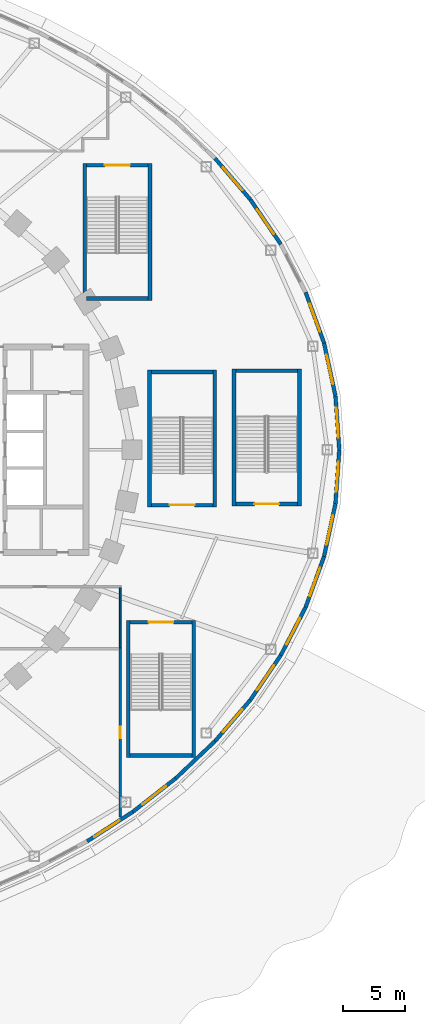
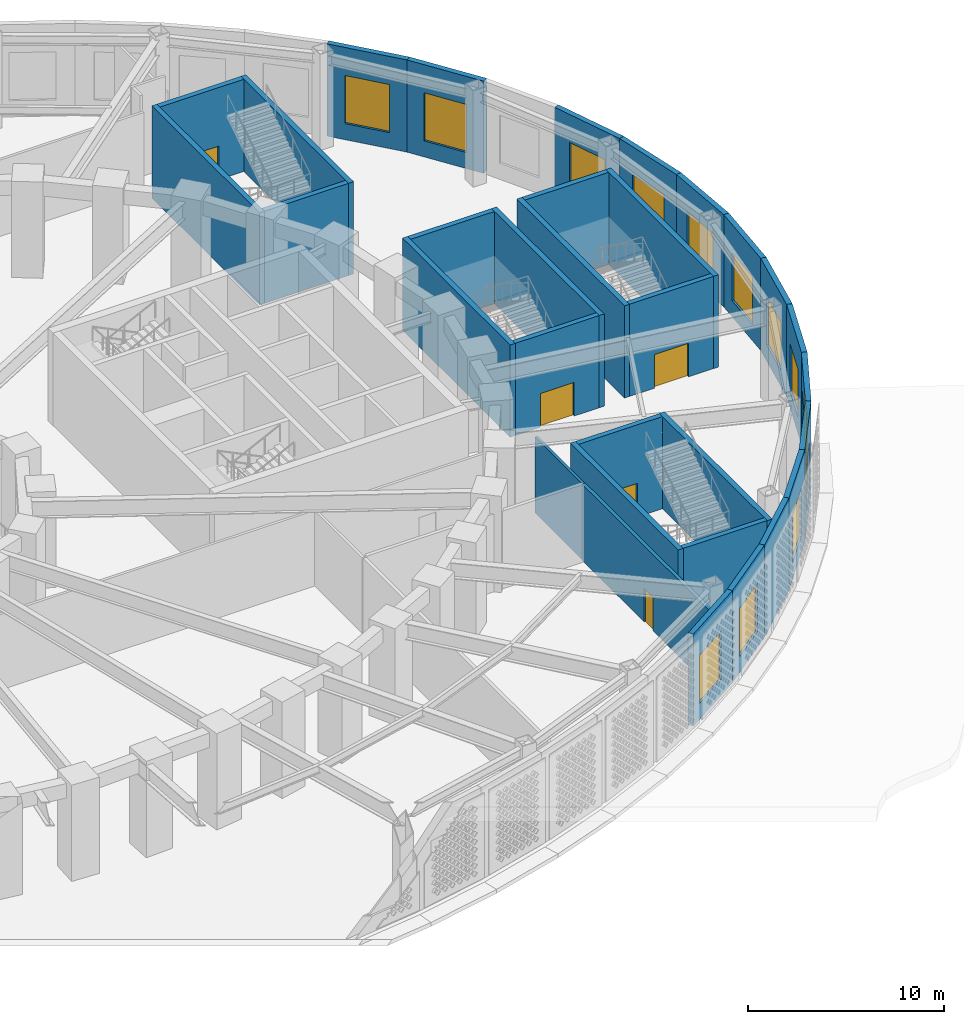
# One storey, part 25 of 74: 32 walls, 13 windows, 5 doors, 18 openings.
"""IFC4 building model written with IfcOpenShell, lengths in metres."""

from ifc_helpers import new_model, si_unit, direction, frame, frame_2d, origin, place, context, subcontext, project, spatial, rectangle, extrude, material, layer, layer_set, type_object, element, fill, save


model = new_model("IFC4")

# Units and contexts
model_context = context("Model", 3, precision=1e-05, world=origin(), true_north=direction((0.0, 1.0)))
body_context = subcontext(model_context, "Body", "Model", "MODEL_VIEW")
ifc_project = project(units=[si_unit("LENGTHUNIT", "METRE"), si_unit("AREAUNIT", "SQUARE_METRE"), si_unit("VOLUMEUNIT", "CUBIC_METRE"), si_unit("PLANEANGLEUNIT", "RADIAN"), si_unit("MASSUNIT", "GRAM", prefix="KILO")], contexts=[model_context])

# Site, building, storey
site_placement = place(None, origin())
site = spatial("IfcSite", under=ifc_project, at=site_placement, CompositionType="ELEMENT")
building_placement = place(site_placement, origin())
building = spatial("IfcBuilding", under=site, at=building_placement, Name="Noorbagh Ring Tower", CompositionType="ELEMENT")
storey_placement = place(building_placement, frame((0.0, 0.0, 7.5)))
storey = spatial("IfcBuildingStorey", under=building, at=storey_placement, Name="L01", CompositionType="ELEMENT", Elevation=7.5)

# Wall, opening, window
ifc_material_1 = material(Name="Blockwork faced with red sandstone", Category="masonry")
ifc_layer_1 = layer(ifc_material_1, 0.300048828125)
ifc_layer_set_1 = layer_set([ifc_layer_1], Name="Blockwork faced with red sandstone")
wall_type_1 = type_object("IfcWallType", Name="GND-ENV-WALL", PredefinedType="SOLIDWALL", material=ifc_layer_set_1)
wall_1_placement = place(storey_placement, frame((51.59912109375, 0.0, 0.0), z_axis=(0.0, 0.0, 1.0), x_axis=(-0.071315050824, 0.997453840298, 0.0)))
wall_1 = element("IfcWall", 1, at=wall_1_placement, inside=storey, type_object=wall_type_1, Name="Podium wall", PredefinedType="SOLIDWALL", context=body_context, shape_type="SweptSolid", body=[
    extrude(rectangle(XDim=4.33740234375, YDim=0.300048828125, at=frame_2d((2.168701171875, 0.0))), origin(), (0.0, 0.0, 1.0), 5.75),
])
opening_1_placement = place(wall_1_placement, frame((0.96875, 0.0, 1.0)))
opening_1 = element("IfcOpeningElement", 2, at=opening_1_placement, cuts=wall_1, Name="Opening GWN1", PredefinedType="OPENING", context=body_context, shape_type="SweptSolid", body=[
    extrude(rectangle(XDim=2.39990234375, YDim=3.0, at=frame_2d((1.199951171875, 1.5))), frame((0.0, 0.16015625, 0.0), z_axis=(0.0, -1.0, 0.0), x_axis=(1.0, 0.0, 0.0)), (0.0, 0.0, 1.0), 0.320068359375),
])
ifc_material_2 = material(Name="Aluminium and glass", Category="aluminium")
window_type = type_object("IfcWindowType", Name="GND-ENV-WINDOW", PartitioningType="SINGLE_PANEL", PredefinedType="WINDOW", material=ifc_material_2)
window_1_placement = place(opening_1_placement, origin())
window_1 = element("IfcWindow", 3, at=window_1_placement, inside=storey, type_object=window_type, Name="L01 podium window", OverallHeight=3.0, OverallWidth=2.39990234375, PartitioningType="SINGLE_PANEL", PredefinedType="WINDOW", context=body_context, shape_type="SweptSolid", body=[
    extrude(rectangle(XDim=2.39990234375, YDim=3.0, at=frame_2d((1.199951171875, 1.5))), frame((0.0, 0.030029296875, 0.0), z_axis=(0.0, -1.0, 0.0), x_axis=(1.0, 0.0, 0.0)), (0.0, 0.0, 1.0), 0.06005859375),
])
fill(opening_1, window_1)

wall_2_placement = place(storey_placement, frame((51.289794921875, 4.326416015625, 0.0), z_axis=(0.0, 0.0, 1.0), x_axis=(-0.210616468766, 0.977568771537, 0.0)))
wall_2 = element("IfcWall", 4, at=wall_2_placement, inside=storey, type_object=wall_type_1, Name="Podium wall", PredefinedType="SOLIDWALL", context=body_context, shape_type="SweptSolid", body=[
    extrude(rectangle(XDim=4.3388671875, YDim=0.300048828125, at=frame_2d((2.16943359375, 0.0))), origin(), (0.0, 0.0, 1.0), 5.75),
])
opening_2_placement = place(wall_2_placement, frame((0.969482421875, 0.0, 1.0)))
opening_2 = element("IfcOpeningElement", 5, at=opening_2_placement, cuts=wall_2, Name="Opening GWN1", PredefinedType="OPENING", context=body_context, shape_type="SweptSolid", body=[
    extrude(rectangle(XDim=2.39990234375, YDim=3.0, at=frame_2d((1.199951171875, 1.5))), frame((0.0, 0.16015625, 0.0), z_axis=(0.0, -1.0, 0.0), x_axis=(1.0, 0.0, 0.0)), (0.0, 0.0, 1.0), 0.320068359375),
])
window_2_placement = place(opening_2_placement, origin())
window_2 = element("IfcWindow", 6, at=window_2_placement, inside=storey, type_object=window_type, Name="L01 podium window", OverallHeight=3.0, OverallWidth=2.39990234375, PartitioningType="SINGLE_PANEL", PredefinedType="WINDOW", context=body_context, shape_type="SweptSolid", body=[
    extrude(rectangle(XDim=2.39990234375, YDim=3.0, at=frame_2d((1.199951171875, 1.5))), frame((0.0, 0.030029296875, 0.0), z_axis=(0.0, -1.0, 0.0), x_axis=(1.0, 0.0, 0.0)), (0.0, 0.0, 1.0), 0.06005859375),
])
fill(opening_2, window_2)

wall_3_placement = place(storey_placement, frame((50.3759765625, 8.56787109375, 0.0), z_axis=(0.0, 0.0, 1.0), x_axis=(-0.341286990045, 0.939959142956, 0.0)))
wall_3 = element("IfcWall", 7, at=wall_3_placement, inside=storey, type_object=wall_type_1, Name="Podium wall", PredefinedType="SOLIDWALL", context=body_context, shape_type="SweptSolid", body=[
    extrude(rectangle(XDim=4.341552734375, YDim=0.300048828125, at=frame_2d((2.1708984375, 0.0))), origin(), (0.0, 0.0, 1.0), 5.75),
])
opening_3_placement = place(wall_3_placement, frame((0.970703125, 0.0, 1.0)))
opening_3 = element("IfcOpeningElement", 8, at=opening_3_placement, cuts=wall_3, Name="Opening GWN1", PredefinedType="OPENING", context=body_context, shape_type="SweptSolid", body=[
    extrude(rectangle(XDim=2.39990234375, YDim=3.0, at=frame_2d((1.199951171875, 1.5))), frame((0.0, 0.16015625, 0.0), z_axis=(0.0, -1.0, 0.0), x_axis=(1.0, 0.0, 0.0)), (0.0, 0.0, 1.0), 0.320068359375),
])
window_3_placement = place(opening_3_placement, origin())
window_3 = element("IfcWindow", 9, at=window_3_placement, inside=storey, type_object=window_type, Name="L01 podium window", OverallHeight=3.0, OverallWidth=2.39990234375, PartitioningType="SINGLE_PANEL", PredefinedType="WINDOW", context=body_context, shape_type="SweptSolid", body=[
    extrude(rectangle(XDim=2.39990234375, YDim=3.0, at=frame_2d((1.199951171875, 1.5))), frame((0.0, 0.030029296875, 0.0), z_axis=(0.0, -1.0, 0.0), x_axis=(1.0, 0.0, 0.0)), (0.0, 0.0, 1.0), 0.06005859375),
])
fill(opening_3, window_3)

wall_4_placement = place(storey_placement, frame((46.89892578125, 16.50830078125, 0.0), z_axis=(0.0, 0.0, 1.0), x_axis=(-0.562667738859, 0.82668314102, 0.0)))
wall_4 = element("IfcWall", 10, at=wall_4_placement, inside=storey, type_object=wall_type_1, Name="Podium wall", PredefinedType="SOLIDWALL", context=body_context, shape_type="SweptSolid", body=[
    extrude(rectangle(XDim=4.348876953125, YDim=0.300048828125, at=frame_2d((2.17431640625, 0.0))), origin(), (0.0, 0.0, 1.0), 5.75),
])
opening_4_placement = place(wall_4_placement, frame((0.974365234375, 0.0, 1.0)))
opening_4 = element("IfcOpeningElement", 11, at=opening_4_placement, cuts=wall_4, Name="Opening GWN1", PredefinedType="OPENING", context=body_context, shape_type="SweptSolid", body=[
    extrude(rectangle(XDim=2.39990234375, YDim=3.0, at=frame_2d((1.199951171875, 1.5))), frame((0.0, 0.16015625, 0.0), z_axis=(0.0, -1.0, 0.0), x_axis=(1.0, 0.0, 0.0)), (0.0, 0.0, 1.0), 0.320068359375),
])
window_4_placement = place(opening_4_placement, origin())
window_4 = element("IfcWindow", 12, at=window_4_placement, inside=storey, type_object=window_type, Name="L01 podium window", OverallHeight=3.0, OverallWidth=2.39990234375, PartitioningType="SINGLE_PANEL", PredefinedType="WINDOW", context=body_context, shape_type="SweptSolid", body=[
    extrude(rectangle(XDim=2.39990234375, YDim=3.0, at=frame_2d((1.199951171875, 1.5))), frame((0.0, 0.030029296875, 0.0), z_axis=(0.0, -1.0, 0.0), x_axis=(1.0, 0.0, 0.0)), (0.0, 0.0, 1.0), 0.06005859375),
])
fill(opening_4, window_4)

wall_5_placement = place(storey_placement, frame((44.451904296875, 20.103515625, 0.0), z_axis=(0.0, 0.0, 1.0), x_axis=(-0.651387059497, 0.758745608699, 0.0)))
wall_5 = element("IfcWall", 13, at=wall_5_placement, inside=storey, type_object=wall_type_1, Name="Podium wall", PredefinedType="SOLIDWALL", context=body_context, shape_type="SweptSolid", body=[
    extrude(rectangle(XDim=4.3525390625, YDim=0.300048828125, at=frame_2d((2.17626953125, 0.0))), origin(), (0.0, 0.0, 1.0), 5.75),
])
opening_5_placement = place(wall_5_placement, frame((0.976318359375, 0.0, 1.0)))
opening_5 = element("IfcOpeningElement", 14, at=opening_5_placement, cuts=wall_5, Name="Opening GWN1", PredefinedType="OPENING", context=body_context, shape_type="SweptSolid", body=[
    extrude(rectangle(XDim=2.39990234375, YDim=3.0, at=frame_2d((1.199951171875, 1.5))), frame((0.0, 0.16015625, 0.0), z_axis=(0.0, -1.0, 0.0), x_axis=(1.0, 0.0, 0.0)), (0.0, 0.0, 1.0), 0.320068359375),
])
window_5_placement = place(opening_5_placement, origin())
window_5 = element("IfcWindow", 15, at=window_5_placement, inside=storey, type_object=window_type, Name="L01 podium window", OverallHeight=3.0, OverallWidth=2.39990234375, PartitioningType="SINGLE_PANEL", PredefinedType="WINDOW", context=body_context, shape_type="SweptSolid", body=[
    extrude(rectangle(XDim=2.39990234375, YDim=3.0, at=frame_2d((1.199951171875, 1.5))), frame((0.0, 0.030029296875, 0.0), z_axis=(0.0, -1.0, 0.0), x_axis=(1.0, 0.0, 0.0)), (0.0, 0.0, 1.0), 0.06005859375),
])
fill(opening_5, window_5)

wall_6_placement = place(storey_placement, frame((31.3515625, -31.448486328125, 0.0), z_axis=(0.0, 0.0, 1.0), x_axis=(0.840047348843, 0.542513088969, 0.0)))
wall_6 = element("IfcWall", 16, at=wall_6_placement, inside=storey, type_object=wall_type_1, Name="Podium wall", PredefinedType="SOLIDWALL", context=body_context, shape_type="SweptSolid", body=[
    extrude(rectangle(XDim=4.362060546875, YDim=0.300048828125, at=frame_2d((2.18115234375, 0.0))), origin(), (0.0, 0.0, 1.0), 5.75),
])
opening_6_placement = place(wall_6_placement, frame((0.6708984375, 0.0, 1.0)))
opening_6 = element("IfcOpeningElement", 17, at=opening_6_placement, cuts=wall_6, Name="Opening GWN1", PredefinedType="OPENING", context=body_context, shape_type="SweptSolid", body=[
    extrude(rectangle(XDim=2.39990234375, YDim=3.0, at=frame_2d((1.199951171875, 1.5))), frame((0.0, 0.16015625, 0.0), z_axis=(0.0, -1.0, 0.0), x_axis=(1.0, 0.0, 0.0)), (0.0, 0.0, 1.0), 0.320068359375),
])
window_6_placement = place(opening_6_placement, origin())
window_6 = element("IfcWindow", 18, at=window_6_placement, inside=storey, type_object=window_type, Name="L01 podium window", OverallHeight=3.0, OverallWidth=2.39990234375, PartitioningType="SINGLE_PANEL", PredefinedType="WINDOW", context=body_context, shape_type="SweptSolid", body=[
    extrude(rectangle(XDim=2.39990234375, YDim=3.0, at=frame_2d((1.199951171875, 1.5))), frame((0.0, 0.030029296875, 0.0), z_axis=(0.0, -1.0, 0.0), x_axis=(1.0, 0.0, 0.0)), (0.0, 0.0, 1.0), 0.06005859375),
])
fill(opening_6, window_6)

wall_7_placement = place(storey_placement, frame((35.015869140625, -29.08203125, 0.0), z_axis=(0.0, 0.0, 1.0), x_axis=(0.788491985196, 0.615045030288, 0.0)))
wall_7 = element("IfcWall", 19, at=wall_7_placement, inside=storey, type_object=wall_type_1, Name="Podium wall", PredefinedType="SOLIDWALL", context=body_context, shape_type="SweptSolid", body=[
    extrude(rectangle(XDim=4.359375, YDim=0.300048828125, at=frame_2d((2.1796875, 0.0))), origin(), (0.0, 0.0, 1.0), 5.75),
])
opening_7_placement = place(wall_7_placement, frame((0.979736328125, 0.0, 1.0)))
opening_7 = element("IfcOpeningElement", 20, at=opening_7_placement, cuts=wall_7, Name="Opening GWN1", PredefinedType="OPENING", context=body_context, shape_type="SweptSolid", body=[
    extrude(rectangle(XDim=2.39990234375, YDim=3.0, at=frame_2d((1.199951171875, 1.5))), frame((0.0, 0.16015625, 0.0), z_axis=(0.0, -1.0, 0.0), x_axis=(1.0, 0.0, 0.0)), (0.0, 0.0, 1.0), 0.320068359375),
])
window_7_placement = place(opening_7_placement, origin())
window_7 = element("IfcWindow", 21, at=window_7_placement, inside=storey, type_object=window_type, Name="L01 podium window", OverallHeight=3.0, OverallWidth=2.39990234375, PartitioningType="SINGLE_PANEL", PredefinedType="WINDOW", context=body_context, shape_type="SweptSolid", body=[
    extrude(rectangle(XDim=2.39990234375, YDim=3.0, at=frame_2d((1.199951171875, 1.5))), frame((0.0, 0.030029296875, 0.0), z_axis=(0.0, -1.0, 0.0), x_axis=(1.0, 0.0, 0.0)), (0.0, 0.0, 1.0), 0.06005859375),
])
fill(opening_7, window_7)

# Wall
wall_8_placement = place(storey_placement, frame((38.453125, -26.40087890625, 0.0), z_axis=(0.0, 0.0, 1.0), x_axis=(0.72620446032, 0.687478786444, 0.0)))
element("IfcWall", 22, at=wall_8_placement, inside=storey, type_object=wall_type_1, Name="Podium wall", PredefinedType="SOLIDWALL", context=body_context, shape_type="SweptSolid", body=[
    extrude(rectangle(XDim=4.356201171875, YDim=0.300048828125, at=frame_2d((2.17822265625, 0.0))), origin(), (0.0, 0.0, 1.0), 5.75),
])

# Wall, opening, window
wall_9_placement = place(storey_placement, frame((41.61669921875, -23.406005859375, 0.0), z_axis=(0.0, 0.0, 1.0), x_axis=(0.651387059497, 0.758745608699, 0.0)))
wall_9 = element("IfcWall", 23, at=wall_9_placement, inside=storey, type_object=wall_type_1, Name="Podium wall", PredefinedType="SOLIDWALL", context=body_context, shape_type="SweptSolid", body=[
    extrude(rectangle(XDim=4.3525390625, YDim=0.300048828125, at=frame_2d((2.17626953125, 0.0))), origin(), (0.0, 0.0, 1.0), 5.75),
])
opening_8_placement = place(wall_9_placement, frame((0.976318359375, 0.0, 1.0)))
opening_8 = element("IfcOpeningElement", 24, at=opening_8_placement, cuts=wall_9, Name="Opening GWN1", PredefinedType="OPENING", context=body_context, shape_type="SweptSolid", body=[
    extrude(rectangle(XDim=2.39990234375, YDim=3.0, at=frame_2d((1.199951171875, 1.5))), frame((0.0, 0.16015625, 0.0), z_axis=(0.0, -1.0, 0.0), x_axis=(1.0, 0.0, 0.0)), (0.0, 0.0, 1.0), 0.320068359375),
])
window_8_placement = place(opening_8_placement, origin())
window_8 = element("IfcWindow", 25, at=window_8_placement, inside=storey, type_object=window_type, Name="L01 podium window", OverallHeight=3.0, OverallWidth=2.39990234375, PartitioningType="SINGLE_PANEL", PredefinedType="WINDOW", context=body_context, shape_type="SweptSolid", body=[
    extrude(rectangle(XDim=2.39990234375, YDim=3.0, at=frame_2d((1.199951171875, 1.5))), frame((0.0, 0.030029296875, 0.0), z_axis=(0.0, -1.0, 0.0), x_axis=(1.0, 0.0, 0.0)), (0.0, 0.0, 1.0), 0.06005859375),
])
fill(opening_8, window_8)

wall_10_placement = place(storey_placement, frame((44.451904296875, -20.103515625, 0.0), z_axis=(0.0, 0.0, 1.0), x_axis=(0.562667738859, 0.82668314102, 0.0)))
wall_10 = element("IfcWall", 26, at=wall_10_placement, inside=storey, type_object=wall_type_1, Name="Podium wall", PredefinedType="SOLIDWALL", context=body_context, shape_type="SweptSolid", body=[
    extrude(rectangle(XDim=4.348876953125, YDim=0.300048828125, at=frame_2d((2.17431640625, 0.0))), origin(), (0.0, 0.0, 1.0), 5.75),
])
opening_9_placement = place(wall_10_placement, frame((0.974365234375, 0.0, 1.0)))
opening_9 = element("IfcOpeningElement", 27, at=opening_9_placement, cuts=wall_10, Name="Opening GWN1", PredefinedType="OPENING", context=body_context, shape_type="SweptSolid", body=[
    extrude(rectangle(XDim=2.39990234375, YDim=3.0, at=frame_2d((1.199951171875, 1.5))), frame((0.0, 0.16015625, 0.0), z_axis=(0.0, -1.0, 0.0), x_axis=(1.0, 0.0, 0.0)), (0.0, 0.0, 1.0), 0.320068359375),
])
window_9_placement = place(opening_9_placement, origin())
window_9 = element("IfcWindow", 28, at=window_9_placement, inside=storey, type_object=window_type, Name="L01 podium window", OverallHeight=3.0, OverallWidth=2.39990234375, PartitioningType="SINGLE_PANEL", PredefinedType="WINDOW", context=body_context, shape_type="SweptSolid", body=[
    extrude(rectangle(XDim=2.39990234375, YDim=3.0, at=frame_2d((1.199951171875, 1.5))), frame((0.0, 0.030029296875, 0.0), z_axis=(0.0, -1.0, 0.0), x_axis=(1.0, 0.0, 0.0)), (0.0, 0.0, 1.0), 0.06005859375),
])
fill(opening_9, window_9)

wall_11_placement = place(storey_placement, frame((46.89892578125, -16.50830078125, 0.0), z_axis=(0.0, 0.0, 1.0), x_axis=(0.459242531468, 0.888310923771, 0.0)))
wall_11 = element("IfcWall", 29, at=wall_11_placement, inside=storey, type_object=wall_type_1, Name="Podium wall", PredefinedType="SOLIDWALL", context=body_context, shape_type="SweptSolid", body=[
    extrude(rectangle(XDim=4.344970703125, YDim=0.300048828125, at=frame_2d((2.17236328125, 0.0))), origin(), (0.0, 0.0, 1.0), 5.75),
])
opening_10_placement = place(wall_11_placement, frame((0.972412109375, 0.0, 1.0)))
opening_10 = element("IfcOpeningElement", 30, at=opening_10_placement, cuts=wall_11, Name="Opening GWN1", PredefinedType="OPENING", context=body_context, shape_type="SweptSolid", body=[
    extrude(rectangle(XDim=2.39990234375, YDim=3.0, at=frame_2d((1.199951171875, 1.5))), frame((0.0, 0.16015625, 0.0), z_axis=(0.0, -1.0, 0.0), x_axis=(1.0, 0.0, 0.0)), (0.0, 0.0, 1.0), 0.320068359375),
])
window_10_placement = place(opening_10_placement, origin())
window_10 = element("IfcWindow", 31, at=window_10_placement, inside=storey, type_object=window_type, Name="L01 podium window", OverallHeight=3.0, OverallWidth=2.39990234375, PartitioningType="SINGLE_PANEL", PredefinedType="WINDOW", context=body_context, shape_type="SweptSolid", body=[
    extrude(rectangle(XDim=2.39990234375, YDim=3.0, at=frame_2d((1.199951171875, 1.5))), frame((0.0, 0.030029296875, 0.0), z_axis=(0.0, -1.0, 0.0), x_axis=(1.0, 0.0, 0.0)), (0.0, 0.0, 1.0), 0.06005859375),
])
fill(opening_10, window_10)

wall_12_placement = place(storey_placement, frame((48.894287109375, -12.648681640625, 0.0), z_axis=(0.0, 0.0, 1.0), x_axis=(0.341286990045, 0.939959142956, 0.0)))
wall_12 = element("IfcWall", 32, at=wall_12_placement, inside=storey, type_object=wall_type_1, Name="Podium wall", PredefinedType="SOLIDWALL", context=body_context, shape_type="SweptSolid", body=[
    extrude(rectangle(XDim=4.341552734375, YDim=0.300048828125, at=frame_2d((2.1708984375, 0.0))), origin(), (0.0, 0.0, 1.0), 5.75),
])
opening_11_placement = place(wall_12_placement, frame((0.970703125, 0.0, 1.0)))
opening_11 = element("IfcOpeningElement", 33, at=opening_11_placement, cuts=wall_12, Name="Opening GWN1", PredefinedType="OPENING", context=body_context, shape_type="SweptSolid", body=[
    extrude(rectangle(XDim=2.39990234375, YDim=3.0, at=frame_2d((1.199951171875, 1.5))), frame((0.0, 0.16015625, 0.0), z_axis=(0.0, -1.0, 0.0), x_axis=(1.0, 0.0, 0.0)), (0.0, 0.0, 1.0), 0.320068359375),
])
window_11_placement = place(opening_11_placement, origin())
window_11 = element("IfcWindow", 34, at=window_11_placement, inside=storey, type_object=window_type, Name="L01 podium window", OverallHeight=3.0, OverallWidth=2.39990234375, PartitioningType="SINGLE_PANEL", PredefinedType="WINDOW", context=body_context, shape_type="SweptSolid", body=[
    extrude(rectangle(XDim=2.39990234375, YDim=3.0, at=frame_2d((1.199951171875, 1.5))), frame((0.0, 0.030029296875, 0.0), z_axis=(0.0, -1.0, 0.0), x_axis=(1.0, 0.0, 0.0)), (0.0, 0.0, 1.0), 0.06005859375),
])
fill(opening_11, window_11)

wall_13_placement = place(storey_placement, frame((50.3759765625, -8.56787109375, 0.0), z_axis=(0.0, 0.0, 1.0), x_axis=(0.210616468766, 0.977568771537, 0.0)))
wall_13 = element("IfcWall", 35, at=wall_13_placement, inside=storey, type_object=wall_type_1, Name="Podium wall", PredefinedType="SOLIDWALL", context=body_context, shape_type="SweptSolid", body=[
    extrude(rectangle(XDim=4.3388671875, YDim=0.300048828125, at=frame_2d((2.16943359375, 0.0))), origin(), (0.0, 0.0, 1.0), 5.75),
])
opening_12_placement = place(wall_13_placement, frame((0.969482421875, 0.0, 1.0)))
opening_12 = element("IfcOpeningElement", 36, at=opening_12_placement, cuts=wall_13, Name="Opening GWN1", PredefinedType="OPENING", context=body_context, shape_type="SweptSolid", body=[
    extrude(rectangle(XDim=2.39990234375, YDim=3.0, at=frame_2d((1.199951171875, 1.5))), frame((0.0, 0.16015625, 0.0), z_axis=(0.0, -1.0, 0.0), x_axis=(1.0, 0.0, 0.0)), (0.0, 0.0, 1.0), 0.320068359375),
])
window_12_placement = place(opening_12_placement, origin())
window_12 = element("IfcWindow", 37, at=window_12_placement, inside=storey, type_object=window_type, Name="L01 podium window", OverallHeight=3.0, OverallWidth=2.39990234375, PartitioningType="SINGLE_PANEL", PredefinedType="WINDOW", context=body_context, shape_type="SweptSolid", body=[
    extrude(rectangle(XDim=2.39990234375, YDim=3.0, at=frame_2d((1.199951171875, 1.5))), frame((0.0, 0.030029296875, 0.0), z_axis=(0.0, -1.0, 0.0), x_axis=(1.0, 0.0, 0.0)), (0.0, 0.0, 1.0), 0.06005859375),
])
fill(opening_12, window_12)

wall_14_placement = place(storey_placement, frame((51.289794921875, -4.326416015625, 0.0), z_axis=(0.0, 0.0, 1.0), x_axis=(0.071315050824, 0.997453840298, 0.0)))
wall_14 = element("IfcWall", 38, at=wall_14_placement, inside=storey, type_object=wall_type_1, Name="Podium wall", PredefinedType="SOLIDWALL", context=body_context, shape_type="SweptSolid", body=[
    extrude(rectangle(XDim=4.33740234375, YDim=0.300048828125, at=frame_2d((2.168701171875, 0.0))), origin(), (0.0, 0.0, 1.0), 5.75),
])
opening_13_placement = place(wall_14_placement, frame((0.96875, 0.0, 1.0)))
opening_13 = element("IfcOpeningElement", 39, at=opening_13_placement, cuts=wall_14, Name="Opening GWN1", PredefinedType="OPENING", context=body_context, shape_type="SweptSolid", body=[
    extrude(rectangle(XDim=2.39990234375, YDim=3.0, at=frame_2d((1.199951171875, 1.5))), frame((0.0, 0.16015625, 0.0), z_axis=(0.0, -1.0, 0.0), x_axis=(1.0, 0.0, 0.0)), (0.0, 0.0, 1.0), 0.320068359375),
])
window_13_placement = place(opening_13_placement, origin())
window_13 = element("IfcWindow", 40, at=window_13_placement, inside=storey, type_object=window_type, Name="L01 podium window", OverallHeight=3.0, OverallWidth=2.39990234375, PartitioningType="SINGLE_PANEL", PredefinedType="WINDOW", context=body_context, shape_type="SweptSolid", body=[
    extrude(rectangle(XDim=2.39990234375, YDim=3.0, at=frame_2d((1.199951171875, 1.5))), frame((0.0, 0.030029296875, 0.0), z_axis=(0.0, -1.0, 0.0), x_axis=(1.0, 0.0, 0.0)), (0.0, 0.0, 1.0), 0.06005859375),
])
fill(opening_13, window_13)

# Wall
ifc_material_3 = material(Name="Gypsum board on steel studs", Category="steel")
ifc_layer_2 = layer(ifc_material_3, 0.14990234375)
ifc_layer_set_2 = layer_set([ifc_layer_2], Name="Gypsum board on steel studs")
wall_type_2 = type_object("IfcWallType", Name="GND-PART-150", PredefinedType="PARTITIONING", material=ifc_layer_set_2)
wall_15_placement = place(storey_placement, frame((34.0, -11.074951171875, 0.0), z_axis=(0.0, 0.0, 1.0), x_axis=(0.0, -1.0, 0.0)))
element("IfcWall", 41, at=wall_15_placement, inside=storey, type_object=wall_type_2, Name="L01/wall/P009", PredefinedType="PARTITIONING", context=body_context, shape_type="SweptSolid", body=[
    extrude(rectangle(XDim=4.824951171875, YDim=0.14990234375, at=frame_2d((2.41259765625, 0.0))), origin(), (0.0, 0.0, 1.0), 4.75),
])

# Wall, opening, door
ifc_material_4 = material(Name="Reinforced blockwork", Category="masonry")
ifc_layer_3 = layer(ifc_material_4, 0.199951171875)
ifc_layer_set_3 = layer_set([ifc_layer_3], Name="Reinforced blockwork")
wall_type_3 = type_object("IfcWallType", Name="GND-PART-200", PredefinedType="PARTITIONING", material=ifc_layer_set_3)
wall_16_placement = place(storey_placement, frame((34.0, -15.89990234375, 0.0), z_axis=(0.0, 0.0, 1.0), x_axis=(0.0, -1.0, 0.0)))
wall_16 = element("IfcWall", 42, at=wall_16_placement, inside=storey, type_object=wall_type_3, Name="L01/wall/P007", PredefinedType="PARTITIONING", context=body_context, shape_type="SweptSolid", body=[
    extrude(rectangle(XDim=13.609619140625, YDim=0.199951171875, at=frame_2d((6.8046875, 0.0))), origin(), (0.0, 0.0, 1.0), 4.75),
])
opening_14_placement = place(wall_16_placement, frame((6.354736328125, 0.0, 0.0)))
opening_14 = element("IfcOpeningElement", 43, at=opening_14_placement, cuts=wall_16, Name="Opening GD10", PredefinedType="OPENING", context=body_context, shape_type="SweptSolid", body=[
    extrude(rectangle(XDim=0.89990234375, YDim=2.10009765625, at=frame_2d((0.449951171875, 1.050048828125))), frame((0.0, 0.10986328125, 0.0), z_axis=(0.0, -1.0, 0.0), x_axis=(1.0, 0.0, 0.0)), (0.0, 0.0, 1.0), 0.219970703125),
])
ifc_material_5 = material(Name="Steel", Category="steel")
door_type_1 = type_object("IfcDoorType", Name="GND-DOOR-HALL-FD60", OperationType="SINGLE_SWING_LEFT", PredefinedType="DOOR", material=ifc_material_5)
door_1_placement = place(opening_14_placement, origin())
door_1 = element("IfcDoor", 44, at=door_1_placement, inside=storey, type_object=door_type_1, Name="Kitchen door", OperationType="SINGLE_SWING_LEFT", OverallHeight=2.10009765625, OverallWidth=0.89990234375, PredefinedType="DOOR", context=body_context, shape_type="SweptSolid", body=[
    extrude(rectangle(XDim=0.89990234375, YDim=2.10009765625, at=frame_2d((0.449951171875, 1.050048828125))), frame((0.0, 0.02490234375, 0.0), z_axis=(0.0, -1.0, 0.0), x_axis=(1.0, 0.0, 0.0)), (0.0, 0.0, 1.0), 0.050048828125),
])
fill(opening_14, door_1)

# Walls
ifc_material_6 = material(Name="Concrete C60/75", Category="concrete")
ifc_layer_4 = layer(ifc_material_6, 0.300048828125)
ifc_layer_set_4 = layer_set([ifc_layer_4], Name="Concrete C60/75")
wall_type_4 = type_object("IfcWallType", Name="GND-STAIR-WALL", PredefinedType="SHEAR", material=ifc_layer_set_4)
for number, where, z_axis, x_axis, name in (
    (45, (36.35009765625, -4.60009765625, 0.0), (0.0, 0.0, 1.0), (0.0, 1.0, 0.0), "Exit stair ST-P2 wall"),
    (46, (41.60009765625, -4.60009765625, 0.0), (0.0, 0.0, 1.0), (0.0, 1.0, 0.0), "Exit stair ST-P2 wall"),
):
    element("IfcWall", number, at=place(storey_placement, frame(where, z_axis=z_axis, x_axis=x_axis)), inside=storey, type_object=wall_type_4, Name=name, PredefinedType="SHEAR", context=body_context, shape_type="SweptSolid", body=[
        extrude(rectangle(XDim=11.0, YDim=0.300048828125, at=frame_2d((5.5, 0.0))), origin(), (0.0, 0.0, 1.0), 5.75),
    ])

# Wall, opening, door
wall_17_placement = place(storey_placement, frame((36.5, -4.449951171875, 0.0), z_axis=(0.0, 0.0, 1.0), x_axis=(1.0, 0.0, 0.0)))
wall_17 = element("IfcWall", 47, at=wall_17_placement, inside=storey, type_object=wall_type_4, Name="Exit stair ST-P2 wall", PredefinedType="SHEAR", context=body_context, shape_type="SweptSolid", body=[
    extrude(rectangle(XDim=4.949951171875, YDim=0.300048828125, at=frame_2d((2.47509765625, 0.0))), origin(), (0.0, 0.0, 1.0), 5.75),
])
opening_15_placement = place(wall_17_placement, frame((1.47509765625, 0.0, 0.0)))
opening_15 = element("IfcOpeningElement", 48, at=opening_15_placement, cuts=wall_17, Name="Opening GD17", PredefinedType="OPENING", context=body_context, shape_type="SweptSolid", body=[
    extrude(rectangle(XDim=2.0, YDim=2.10009765625, at=frame_2d((1.0, 1.050048828125))), frame((0.0, 0.16015625, 0.0), z_axis=(0.0, -1.0, 0.0), x_axis=(1.0, 0.0, 0.0)), (0.0, 0.0, 1.0), 0.320068359375),
])
ifc_material_7 = material(Name="Steel", Category="steel")
door_type_2 = type_object("IfcDoorType", Name="GND-STAIR-DOOR", OperationType="DOUBLE_DOOR_SINGLE_SWING", PredefinedType="DOOR", material=ifc_material_7)
door_2_placement = place(opening_15_placement, origin())
door_2 = element("IfcDoor", 49, at=door_2_placement, inside=storey, type_object=door_type_2, Name="Exit stair ST-P2 door", OperationType="DOUBLE_DOOR_SINGLE_SWING", OverallHeight=2.10009765625, OverallWidth=2.0, PredefinedType="DOOR", context=body_context, shape_type="SweptSolid", body=[
    extrude(rectangle(XDim=2.0, YDim=2.10009765625, at=frame_2d((1.0, 1.050048828125))), frame((0.0, 0.02490234375, 0.0), z_axis=(0.0, -1.0, 0.0), x_axis=(1.0, 0.0, 0.0)), (0.0, 0.0, 1.0), 0.050048828125),
])
fill(opening_15, door_2)

# Walls
wall_18_placement = place(storey_placement, frame((36.5, 6.25, 0.0), z_axis=(0.0, 0.0, 1.0), x_axis=(1.0, 0.0, 0.0)))
element("IfcWall", 50, at=wall_18_placement, inside=storey, type_object=wall_type_4, Name="Exit stair ST-P2 wall", PredefinedType="SHEAR", context=body_context, shape_type="SweptSolid", body=[
    extrude(rectangle(XDim=4.949951171875, YDim=0.300048828125, at=frame_2d((2.47509765625, 0.0))), origin(), (0.0, 0.0, 1.0), 5.75),
])
for number, where, z_axis, x_axis, name in (
    (51, (43.14990234375, -4.5, 0.0), (0.0, 0.0, 1.0), (0.0, 1.0, 0.0), "Exit stair ST-P4 wall"),
    (52, (48.39990234375, -4.5, 0.0), (0.0, 0.0, 1.0), (0.0, 1.0, 0.0), "Exit stair ST-P4 wall"),
):
    element("IfcWall", number, at=place(storey_placement, frame(where, z_axis=z_axis, x_axis=x_axis)), inside=storey, type_object=wall_type_4, Name=name, PredefinedType="SHEAR", context=body_context, shape_type="SweptSolid", body=[
        extrude(rectangle(XDim=11.0, YDim=0.300048828125, at=frame_2d((5.5, 0.0))), origin(), (0.0, 0.0, 1.0), 5.75),
    ])

# Wall, opening, door
wall_19_placement = place(storey_placement, frame((43.300048828125, -4.35009765625, 0.0), z_axis=(0.0, 0.0, 1.0), x_axis=(1.0, 0.0, 0.0)))
wall_19 = element("IfcWall", 53, at=wall_19_placement, inside=storey, type_object=wall_type_4, Name="Exit stair ST-P4 wall", PredefinedType="SHEAR", context=body_context, shape_type="SweptSolid", body=[
    extrude(rectangle(XDim=4.949951171875, YDim=0.300048828125, at=frame_2d((2.47509765625, 0.0))), origin(), (0.0, 0.0, 1.0), 5.75),
])
opening_16_placement = place(wall_19_placement, frame((1.47509765625, 0.0, 0.0)))
opening_16 = element("IfcOpeningElement", 54, at=opening_16_placement, cuts=wall_19, Name="Opening GD17", PredefinedType="OPENING", context=body_context, shape_type="SweptSolid", body=[
    extrude(rectangle(XDim=2.0, YDim=2.10009765625, at=frame_2d((1.0, 1.050048828125))), frame((0.0, 0.16015625, 0.0), z_axis=(0.0, -1.0, 0.0), x_axis=(1.0, 0.0, 0.0)), (0.0, 0.0, 1.0), 0.320068359375),
])
door_3_placement = place(opening_16_placement, origin())
door_3 = element("IfcDoor", 55, at=door_3_placement, inside=storey, type_object=door_type_2, Name="Exit stair ST-P4 door", OperationType="DOUBLE_DOOR_SINGLE_SWING", OverallHeight=2.10009765625, OverallWidth=2.0, PredefinedType="DOOR", context=body_context, shape_type="SweptSolid", body=[
    extrude(rectangle(XDim=2.0, YDim=2.10009765625, at=frame_2d((1.0, 1.050048828125))), frame((0.0, 0.02490234375, 0.0), z_axis=(0.0, -1.0, 0.0), x_axis=(1.0, 0.0, 0.0)), (0.0, 0.0, 1.0), 0.050048828125),
])
fill(opening_16, door_3)

# Walls
wall_20_placement = place(storey_placement, frame((43.300048828125, 6.35009765625, 0.0), z_axis=(0.0, 0.0, 1.0), x_axis=(1.0, 0.0, 0.0)))
element("IfcWall", 56, at=wall_20_placement, inside=storey, type_object=wall_type_4, Name="Exit stair ST-P4 wall", PredefinedType="SHEAR", context=body_context, shape_type="SweptSolid", body=[
    extrude(rectangle(XDim=4.949951171875, YDim=0.300048828125, at=frame_2d((2.47509765625, 0.0))), origin(), (0.0, 0.0, 1.0), 5.75),
])
for number, where, z_axis, x_axis, name in (
    (57, (31.14990234375, 12.0, 0.0), (0.0, 0.0, 1.0), (0.0, 1.0, 0.0), "Exit stair ST-P5 wall"),
    (58, (36.39990234375, 12.0, 0.0), (0.0, 0.0, 1.0), (0.0, 1.0, 0.0), "Exit stair ST-P5 wall"),
):
    element("IfcWall", number, at=place(storey_placement, frame(where, z_axis=z_axis, x_axis=x_axis)), inside=storey, type_object=wall_type_4, Name=name, PredefinedType="SHEAR", context=body_context, shape_type="SweptSolid", body=[
        extrude(rectangle(XDim=11.0, YDim=0.300048828125, at=frame_2d((5.5, 0.0))), origin(), (0.0, 0.0, 1.0), 5.75),
    ])
wall_21_placement = place(storey_placement, frame((31.300048828125, 12.14990234375, 0.0), z_axis=(0.0, 0.0, 1.0), x_axis=(1.0, 0.0, 0.0)))
element("IfcWall", 59, at=wall_21_placement, inside=storey, type_object=wall_type_4, Name="Exit stair ST-P5 wall", PredefinedType="SHEAR", context=body_context, shape_type="SweptSolid", body=[
    extrude(rectangle(XDim=4.949951171875, YDim=0.300048828125, at=frame_2d((2.47509765625, 0.0))), origin(), (0.0, 0.0, 1.0), 5.75),
])

# Wall, opening, door
wall_22_placement = place(storey_placement, frame((31.300048828125, 22.85009765625, 0.0), z_axis=(0.0, 0.0, 1.0), x_axis=(1.0, 0.0, 0.0)))
wall_22 = element("IfcWall", 60, at=wall_22_placement, inside=storey, type_object=wall_type_4, Name="Exit stair ST-P5 wall", PredefinedType="SHEAR", context=body_context, shape_type="SweptSolid", body=[
    extrude(rectangle(XDim=4.949951171875, YDim=0.300048828125, at=frame_2d((2.47509765625, 0.0))), origin(), (0.0, 0.0, 1.0), 5.75),
])
opening_17_placement = place(wall_22_placement, frame((1.47509765625, 0.0, 0.0)))
opening_17 = element("IfcOpeningElement", 61, at=opening_17_placement, cuts=wall_22, Name="Opening GD17", PredefinedType="OPENING", context=body_context, shape_type="SweptSolid", body=[
    extrude(rectangle(XDim=2.0, YDim=2.10009765625, at=frame_2d((1.0, 1.050048828125))), frame((0.0, 0.16015625, 0.0), z_axis=(0.0, -1.0, 0.0), x_axis=(1.0, 0.0, 0.0)), (0.0, 0.0, 1.0), 0.320068359375),
])
door_4_placement = place(opening_17_placement, origin())
door_4 = element("IfcDoor", 62, at=door_4_placement, inside=storey, type_object=door_type_2, Name="Exit stair ST-P5 door", OperationType="DOUBLE_DOOR_SINGLE_SWING", OverallHeight=2.10009765625, OverallWidth=2.0, PredefinedType="DOOR", context=body_context, shape_type="SweptSolid", body=[
    extrude(rectangle(XDim=2.0, YDim=2.10009765625, at=frame_2d((1.0, 1.050048828125))), frame((0.0, 0.02490234375, 0.0), z_axis=(0.0, -1.0, 0.0), x_axis=(1.0, 0.0, 0.0)), (0.0, 0.0, 1.0), 0.050048828125),
])
fill(opening_17, door_4)

# Walls
for number, where, z_axis, x_axis, name in (
    (63, (34.64990234375, -24.699951171875, 0.0), (0.0, 0.0, 1.0), (0.0, 1.0, 0.0), "Exit stair ST-P6 wall"),
    (64, (39.89990234375, -24.699951171875, 0.0), (0.0, 0.0, 1.0), (0.0, 1.0, 0.0), "Exit stair ST-P6 wall"),
):
    element("IfcWall", number, at=place(storey_placement, frame(where, z_axis=z_axis, x_axis=x_axis)), inside=storey, type_object=wall_type_4, Name=name, PredefinedType="SHEAR", context=body_context, shape_type="SweptSolid", body=[
        extrude(rectangle(XDim=11.0, YDim=0.300048828125, at=frame_2d((5.5, 0.0))), origin(), (0.0, 0.0, 1.0), 5.75),
    ])
wall_23_placement = place(storey_placement, frame((34.800048828125, -24.550048828125, 0.0), z_axis=(0.0, 0.0, 1.0), x_axis=(1.0, 0.0, 0.0)))
element("IfcWall", 65, at=wall_23_placement, inside=storey, type_object=wall_type_4, Name="Exit stair ST-P6 wall", PredefinedType="SHEAR", context=body_context, shape_type="SweptSolid", body=[
    extrude(rectangle(XDim=4.949951171875, YDim=0.300048828125, at=frame_2d((2.47509765625, 0.0))), origin(), (0.0, 0.0, 1.0), 5.75),
])

# Wall, opening, door
wall_24_placement = place(storey_placement, frame((34.800048828125, -13.85009765625, 0.0), z_axis=(0.0, 0.0, 1.0), x_axis=(1.0, 0.0, 0.0)))
wall_24 = element("IfcWall", 66, at=wall_24_placement, inside=storey, type_object=wall_type_4, Name="Exit stair ST-P6 wall", PredefinedType="SHEAR", context=body_context, shape_type="SweptSolid", body=[
    extrude(rectangle(XDim=4.949951171875, YDim=0.300048828125, at=frame_2d((2.47509765625, 0.0))), origin(), (0.0, 0.0, 1.0), 5.75),
])
opening_18_placement = place(wall_24_placement, frame((1.47509765625, 0.0, 0.0)))
opening_18 = element("IfcOpeningElement", 67, at=opening_18_placement, cuts=wall_24, Name="Opening GD17", PredefinedType="OPENING", context=body_context, shape_type="SweptSolid", body=[
    extrude(rectangle(XDim=2.0, YDim=2.10009765625, at=frame_2d((1.0, 1.050048828125))), frame((0.0, 0.16015625, 0.0), z_axis=(0.0, -1.0, 0.0), x_axis=(1.0, 0.0, 0.0)), (0.0, 0.0, 1.0), 0.320068359375),
])
door_5_placement = place(opening_18_placement, origin())
door_5 = element("IfcDoor", 68, at=door_5_placement, inside=storey, type_object=door_type_2, Name="Exit stair ST-P6 door", OperationType="DOUBLE_DOOR_SINGLE_SWING", OverallHeight=2.10009765625, OverallWidth=2.0, PredefinedType="DOOR", context=body_context, shape_type="SweptSolid", body=[
    extrude(rectangle(XDim=2.0, YDim=2.10009765625, at=frame_2d((1.0, 1.050048828125))), frame((0.0, 0.02490234375, 0.0), z_axis=(0.0, -1.0, 0.0), x_axis=(1.0, 0.0, 0.0)), (0.0, 0.0, 1.0), 0.050048828125),
])
fill(opening_18, door_5)

save(model, "model.ifc")
